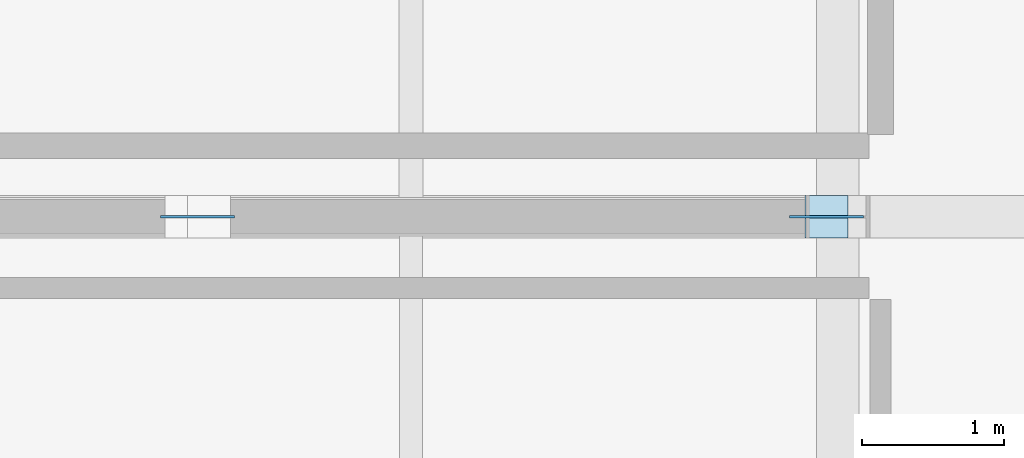
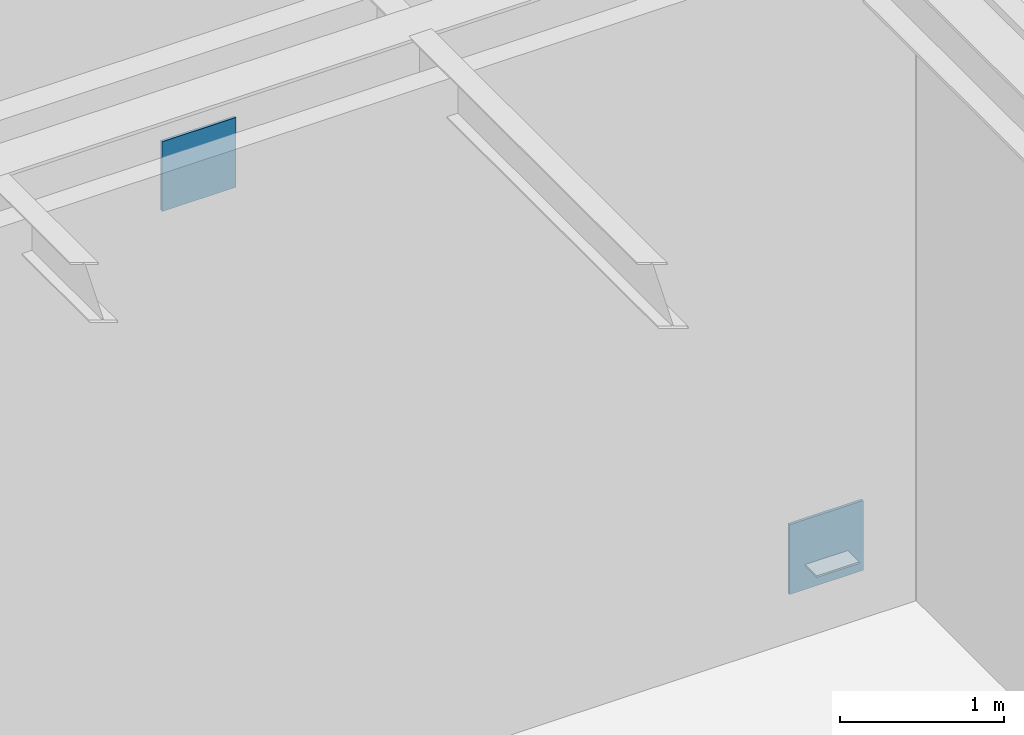
# One storey, part 113 of 143: 3 plates.
"""IFC4 building model written with IfcOpenShell, lengths in metres."""

from ifc_helpers import new_model, si_unit, direction, frame, origin, origin_2d, place, context, subcontext, project, spatial, rectangle, extrude, material, layer, layer_set, type_object, element, save


model = new_model("IFC4")

# Units and contexts
model_context = context("Model", 3, precision=1e-05, world=origin(), true_north=direction((0.0, 1.0)))
body_context = subcontext(model_context, "Body", "Model", "MODEL_VIEW")
ifc_project = project(units=[si_unit("LENGTHUNIT", "METRE"), si_unit("AREAUNIT", "SQUARE_METRE"), si_unit("VOLUMEUNIT", "CUBIC_METRE"), si_unit("PLANEANGLEUNIT", "RADIAN"), si_unit("MASSUNIT", "GRAM", prefix="KILO")], contexts=[model_context])

# Site, building, storey
site_placement = place(None, origin())
site = spatial("IfcSite", under=ifc_project, at=site_placement, CompositionType="ELEMENT")
building_placement = place(site_placement, origin())
building = spatial("IfcBuilding", under=site, at=building_placement, Name="Montelvaro Courts of Justice", CompositionType="ELEMENT")
storey_placement = place(building_placement, origin())
storey = spatial("IfcBuildingStorey", under=building, at=storey_placement, Name="L00", CompositionType="ELEMENT", Elevation=0.0)

# Plates
ifc_material = material(Name="Steel S355", Category="steel")
ifc_layer_1 = layer(ifc_material, 0.011962890625)
ifc_layer_set_1 = layer_set([ifc_layer_1], Name="Steel S355")
plate_type_1 = type_object("IfcPlateType", Name="EndCapPlate_12", PredefinedType="USERDEFINED", material=ifc_layer_set_1)
plate_placement = place(storey_placement, frame((71.919921875, 12.0, 0.07421875), z_axis=(0.0, 0.0, 1.0), x_axis=(1.0, 0.0, 0.0)))
element("IfcPlate", 1, at=plate_placement, inside=storey, type_object=plate_type_1, Name="Brace End Cap Plate CP-01 CBF1-L00-2A", ObjectType="GUSSET PLATE", PredefinedType="USERDEFINED", context=body_context, shape_type="SweptSolid", body=[
    extrude(rectangle(XDim=0.300048828125, YDim=0.300048828125, at=origin_2d()), origin(), (0.0, 0.0, 1.0), 0.011962890625),
])
ifc_layer_2 = layer(ifc_material, 0.02001953125)
ifc_layer_set_2 = layer_set([ifc_layer_2], Name="Steel S355")
plate_type_2 = type_object("IfcPlateType", Name="GussetPlate_20", PredefinedType="USERDEFINED", material=ifc_layer_set_2)
for number, where, z_axis, x_axis, name in (
    (2, (71.919921875, 12.0, -0.10009765625), (0.0, 0.0, 1.0), (1.0, 0.0, 0.0), "Chevron Brace Base Gusset Plate GP-01 CBF1-L00-B2"),
    (3, (67.5, 12.0, 4.300048828125), (0.0, 0.0, 1.0), (1.0, 0.0, 0.0), "Chevron Brace Gusset Plate GP-01 CBF1-L00"),
):
    element("IfcPlate", number, at=place(storey_placement, frame(where, z_axis=z_axis, x_axis=x_axis)), inside=storey, type_object=plate_type_2, Name=name, ObjectType="GUSSET PLATE", PredefinedType="USERDEFINED", context=body_context, shape_type="SweptSolid", body=[
        extrude(rectangle(XDim=0.52001953125, YDim=0.02001953125, at=origin_2d()), origin(), (0.0, 0.0, 1.0), 0.52001953125),
    ])

save(model, "model.ifc")
